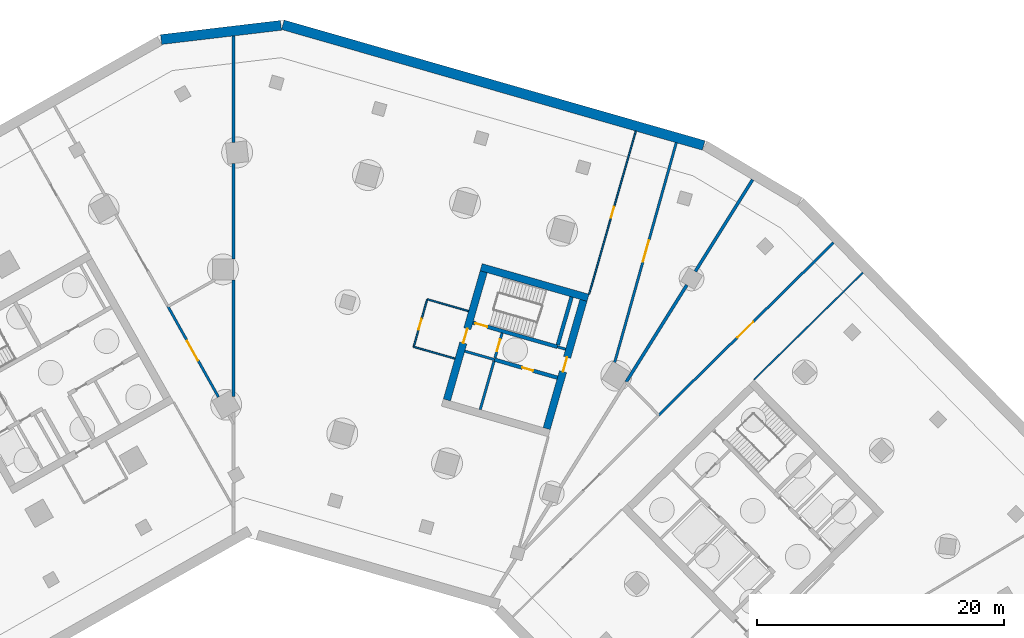
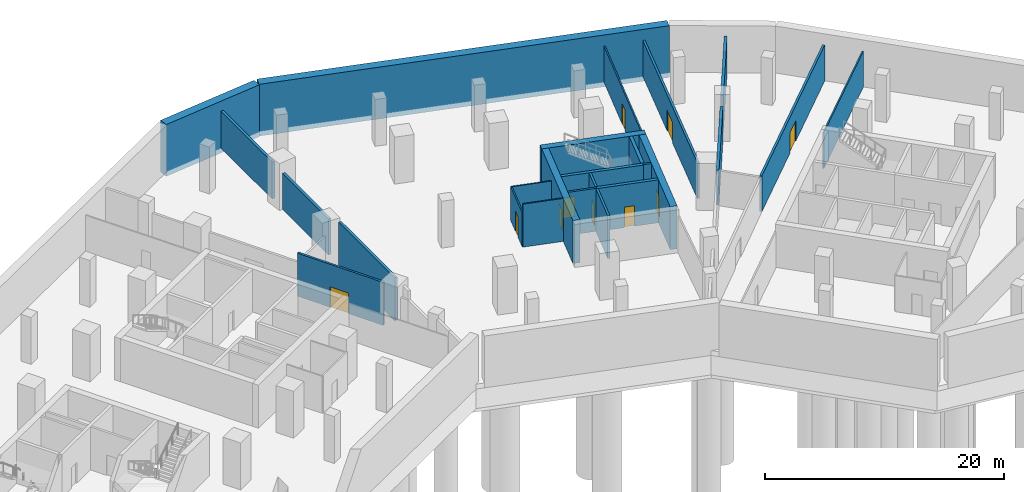
# One storey, part 7 of 11: 25 walls, 10 doors, 10 openings.
"""IFC4 building model written with IfcOpenShell, lengths in metres."""

from ifc_helpers import new_model, si_unit, direction, frame, frame_2d, origin, place, context, subcontext, project, spatial, rectangle, extrude, material, layer, layer_set, type_object, element, fill, save


model = new_model("IFC4")

# Units and contexts
model_context = context("Model", 3, precision=1e-05, world=origin(), true_north=direction((0.0, 1.0)))
body_context = subcontext(model_context, "Body", "Model", "MODEL_VIEW")
ifc_project = project(units=[si_unit("LENGTHUNIT", "METRE"), si_unit("AREAUNIT", "SQUARE_METRE"), si_unit("VOLUMEUNIT", "CUBIC_METRE"), si_unit("PLANEANGLEUNIT", "RADIAN"), si_unit("MASSUNIT", "GRAM", prefix="KILO")], contexts=[model_context])

# Site, building, storey
site_placement = place(None, origin())
site = spatial("IfcSite", under=ifc_project, at=site_placement, CompositionType="ELEMENT")
building_placement = place(site_placement, origin())
building = spatial("IfcBuilding", under=site, at=building_placement, Name="Binnacle Exchange Tower", CompositionType="ELEMENT")
storey_placement = place(building_placement, frame((0.0, 0.0, -9.60009765625)))
storey = spatial("IfcBuildingStorey", under=building, at=storey_placement, Name="B2", CompositionType="ELEMENT", Elevation=-9.60009765625)

# Walls
ifc_material_1 = material(Name="Concrete C40/50", Category="concrete")
ifc_layer_1 = layer(ifc_material_1, 0.800048828125)
ifc_layer_set_1 = layer_set([ifc_layer_1], Name="Basement retaining wall 800 Concrete C40/50")
wall_type_1 = type_object("IfcWallType", Name="Basement retaining wall 800 Concrete C40/50", PredefinedType="SOLIDWALL", material=ifc_layer_set_1)
wall_1_placement = place(storey_placement, frame((38.06201171875, 70.032470703125, -0.5), z_axis=(0.0, 0.0, 1.0), x_axis=(-0.961260654426, 0.275640987977, 0.0)))
element("IfcWall", 1, at=wall_1_placement, inside=storey, type_object=wall_type_1, Name="S:RW:B2:02", PredefinedType="SOLIDWALL", context=body_context, shape_type="SweptSolid", body=[
    extrude(rectangle(XDim=35.43505859375, YDim=0.800048828125, at=frame_2d((17.717529296875, 0.0))), origin(), (0.0, 0.0, 1.0), 5.300048828125),
])
wall_2_placement = place(storey_placement, frame((3.848388671875, 79.752685546875, -0.5), z_axis=(0.0, 0.0, 1.0), x_axis=(-0.993067076287, -0.117549062072, 0.0)))
element("IfcWall", 2, at=wall_2_placement, inside=storey, type_object=wall_type_1, Name="S:RW:B2:03", PredefinedType="SOLIDWALL", context=body_context, shape_type="SweptSolid", body=[
    extrude(rectangle(XDim=9.765625, YDim=0.800048828125, at=frame_2d((4.8828125, 0.0))), origin(), (0.0, 0.0, 1.0), 5.300048828125),
])

# Wall, opening, door
ifc_material_2 = material(Name="Concrete C70/85", Category="concrete")
ifc_layer_2 = layer(ifc_material_2, 0.300048828125)
ifc_layer_set_2 = layer_set([ifc_layer_2], Name="Core wall - front 300")
wall_type_2 = type_object("IfcWallType", Name="Core wall - front 300", PredefinedType="SOLIDWALL", material=ifc_layer_set_2)
wall_3_placement = place(storey_placement, frame((21.130859375, 52.6923828125, 0.0), z_axis=(0.0, 0.0, 1.0), x_axis=(0.961271492568, -0.275603188616, 0.0)))
wall_3 = element("IfcWall", 3, at=wall_3_placement, inside=storey, type_object=wall_type_2, Name="Core wall CRWD3", PredefinedType="SOLIDWALL", context=body_context, shape_type="SweptSolid", body=[
    extrude(rectangle(XDim=5.300048828125, YDim=0.300048828125, at=frame_2d((2.64990234375, 0.0))), origin(), (0.0, 0.0, 1.0), 4.400146484375),
])
opening_1_placement = place(wall_3_placement, frame((2.35009765625, 0.0, 0.0)))
opening_1 = element("IfcOpeningElement", 4, at=opening_1_placement, cuts=wall_3, Name="Opening DD10", PredefinedType="OPENING", context=body_context, shape_type="SweptSolid", body=[
    extrude(rectangle(XDim=0.89990234375, YDim=2.10009765625, at=frame_2d((0.449951171875, 1.050048828125))), frame((0.0, 0.159912109375, 0.0), z_axis=(0.0, -1.0, 0.0), x_axis=(1.0, 0.0, 0.0)), (0.0, 0.0, 1.0), 0.320068359375),
])
ifc_material_3 = material(Name="Steel door leaf", Category="steel")
door_type_1 = type_object("IfcDoorType", Name="Fire door 900", OperationType="NOTDEFINED", PredefinedType="DOOR", material=ifc_material_3)
door_1_placement = place(opening_1_placement, frame((0.89990234375, 0.0, 0.0), z_axis=(0.0, 0.0, 1.0), x_axis=(-1.0, 0.0, 0.0)))
door_1 = element("IfcDoor", 5, at=door_1_placement, inside=storey, type_object=door_type_1, Name="Core room door PANTRY", OperationType="SINGLE_SWING_LEFT", OverallHeight=2.10009765625, OverallWidth=0.89990234375, PredefinedType="DOOR", context=body_context, shape_type="SweptSolid", body=[
    extrude(rectangle(XDim=0.89990234375, YDim=2.10009765625, at=frame_2d((0.449951171875, 1.050048828125))), frame((0.0, 0.02490234375, 0.0), z_axis=(0.0, -1.0, 0.0), x_axis=(1.0, 0.0, 0.0)), (0.0, 0.0, 1.0), 0.050048828125),
])
fill(opening_1, door_1)

# Wall
ifc_layer_3 = layer(ifc_material_2, 0.60009765625)
ifc_layer_set_3 = layer_set([ifc_layer_3], Name="Core wall - outer 600")
wall_type_3 = type_object("IfcWallType", Name="Core wall - outer 600", PredefinedType="SOLIDWALL", material=ifc_layer_set_3)
wall_4_placement = place(storey_placement, frame((20.052734375, 60.1796875, 0.0), z_axis=(0.0, 0.0, 1.0), x_axis=(0.96126248289, -0.275634611374, 0.0)))
element("IfcWall", 6, at=wall_4_placement, inside=storey, type_object=wall_type_3, Name="Core wall CRWD6", PredefinedType="SOLIDWALL", context=body_context, shape_type="SweptSolid", body=[
    extrude(rectangle(XDim=9.0, YDim=0.60009765625, at=frame_2d((4.5, 0.0))), origin(), (0.0, 0.0, 1.0), 4.400146484375),
])

# Wall, opening, door
wall_5_placement = place(storey_placement, frame((17.28173828125, 49.427001953125, 0.0), z_axis=(0.0, 0.0, 1.0), x_axis=(0.275631631629, 0.961263337304, 0.0)))
wall_5 = element("IfcWall", 7, at=wall_5_placement, inside=storey, type_object=wall_type_3, Name="Core wall CRWD7", PredefinedType="SOLIDWALL", context=body_context, shape_type="SweptSolid", body=[
    extrude(rectangle(XDim=10.800048828125, YDim=0.60009765625, at=frame_2d((5.39990234375, 0.0))), origin(), (0.0, 0.0, 1.0), 4.400146484375),
])
opening_2_placement = place(wall_5_placement, frame((4.800048828125, 0.0, 0.0)))
opening_2 = element("IfcOpeningElement", 8, at=opening_2_placement, cuts=wall_5, Name="Opening DD5", PredefinedType="OPENING", context=body_context, shape_type="SweptSolid", body=[
    extrude(rectangle(XDim=1.199951171875, YDim=2.10009765625, at=frame_2d((0.60009765625, 1.050048828125))), frame((0.0, 0.31005859375, 0.0), z_axis=(0.0, -1.0, 0.0), x_axis=(1.0, 0.0, 0.0)), (0.0, 0.0, 1.0), 0.6201171875),
])
door_type_2 = type_object("IfcDoorType", Name="Fire door 1200", OperationType="NOTDEFINED", PredefinedType="DOOR", material=ifc_material_3)
door_2_placement = place(opening_2_placement, origin())
door_2 = element("IfcDoor", 9, at=door_2_placement, inside=storey, type_object=door_type_2, Name="Vestibule exit door VEST-W", OperationType="SINGLE_SWING_RIGHT", OverallHeight=2.10009765625, OverallWidth=1.199951171875, PredefinedType="DOOR", context=body_context, shape_type="SweptSolid", body=[
    extrude(rectangle(XDim=1.199951171875, YDim=2.10009765625, at=frame_2d((0.60009765625, 1.050048828125))), frame((0.0, 0.02490234375, 0.0), z_axis=(0.0, -1.0, 0.0), x_axis=(1.0, 0.0, 0.0)), (0.0, 0.0, 1.0), 0.050048828125),
])
fill(opening_2, door_2)

wall_6_placement = place(storey_placement, frame((25.356201171875, 47.111572265625, 0.0), z_axis=(0.0, 0.0, 1.0), x_axis=(0.275631631629, 0.961263337304, 0.0)))
wall_6 = element("IfcWall", 10, at=wall_6_placement, inside=storey, type_object=wall_type_3, Name="Core wall CRWD12", PredefinedType="SOLIDWALL", context=body_context, shape_type="SweptSolid", body=[
    extrude(rectangle(XDim=10.800048828125, YDim=0.60009765625, at=frame_2d((5.39990234375, 0.0))), origin(), (0.0, 0.0, 1.0), 4.400146484375),
])
opening_3_placement = place(wall_6_placement, frame((4.800048828125, 0.0, 0.0)))
opening_3 = element("IfcOpeningElement", 11, at=opening_3_placement, cuts=wall_6, Name="Opening DD6", PredefinedType="OPENING", context=body_context, shape_type="SweptSolid", body=[
    extrude(rectangle(XDim=1.199951171875, YDim=2.10009765625, at=frame_2d((0.60009765625, 1.050048828125))), frame((0.0, 0.31005859375, 0.0), z_axis=(0.0, -1.0, 0.0), x_axis=(1.0, 0.0, 0.0)), (0.0, 0.0, 1.0), 0.6201171875),
])
door_3_placement = place(opening_3_placement, frame((1.199951171875, 0.0, 0.0), z_axis=(0.0, 0.0, 1.0), x_axis=(-1.0, 0.0, 0.0)))
door_3 = element("IfcDoor", 12, at=door_3_placement, inside=storey, type_object=door_type_2, Name="Core passage exit door", OperationType="SINGLE_SWING_LEFT", OverallHeight=2.10009765625, OverallWidth=1.199951171875, PredefinedType="DOOR", context=body_context, shape_type="SweptSolid", body=[
    extrude(rectangle(XDim=1.199951171875, YDim=2.10009765625, at=frame_2d((0.60009765625, 1.050048828125))), frame((0.0, 0.02490234375, 0.0), z_axis=(0.0, -1.0, 0.0), x_axis=(1.0, 0.0, 0.0)), (0.0, 0.0, 1.0), 0.050048828125),
])
fill(opening_3, door_3)

ifc_layer_4 = layer(ifc_material_2, 0.300048828125)
ifc_layer_set_4 = layer_set([ifc_layer_4], Name="Core wall - stair 300")
wall_type_4 = type_object("IfcWallType", Name="Core wall - stair 300", PredefinedType="SOLIDWALL", material=ifc_layer_set_4)
wall_7_placement = place(storey_placement, frame((19.38916015625, 55.688720703125, 0.0), z_axis=(0.0, 0.0, 1.0), x_axis=(0.961261397636, -0.275638396117, 0.0)))
wall_7 = element("IfcWall", 13, at=wall_7_placement, inside=storey, type_object=wall_type_4, Name="Core wall CRWD4", PredefinedType="SOLIDWALL", context=body_context, shape_type="SweptSolid", body=[
    extrude(rectangle(XDim=7.10009765625, YDim=0.300048828125, at=frame_2d((3.550048828125, 0.0))), origin(), (0.0, 0.0, 1.0), 4.400146484375),
])
opening_4_placement = place(wall_7_placement, frame((0.199951171875, 0.0, 0.0)))
opening_4 = element("IfcOpeningElement", 14, at=opening_4_placement, cuts=wall_7, Name="Opening DD1", PredefinedType="OPENING", context=body_context, shape_type="SweptSolid", body=[
    extrude(rectangle(XDim=1.0, YDim=2.10009765625, at=frame_2d((0.5, 1.050048828125))), frame((0.0, 0.159912109375, 0.0), z_axis=(0.0, -1.0, 0.0), x_axis=(1.0, 0.0, 0.0)), (0.0, 0.0, 1.0), 0.320068359375),
])
door_type_3 = type_object("IfcDoorType", Name="Fire door 1000", OperationType="NOTDEFINED", PredefinedType="DOOR", material=ifc_material_3)
door_4_placement = place(opening_4_placement, origin())
door_4 = element("IfcDoor", 15, at=door_4_placement, inside=storey, type_object=door_type_3, Name="Stair door ST-D1", OperationType="SINGLE_SWING_LEFT", OverallHeight=2.10009765625, OverallWidth=1.0, PredefinedType="DOOR", context=body_context, shape_type="SweptSolid", body=[
    extrude(rectangle(XDim=1.0, YDim=2.10009765625, at=frame_2d((0.5, 1.050048828125))), frame((0.0, 0.02490234375, 0.0), z_axis=(0.0, -1.0, 0.0), x_axis=(1.0, 0.0, 0.0)), (0.0, 0.0, 1.0), 0.050048828125),
])
fill(opening_4, door_4)

# Wall
wall_8_placement = place(storey_placement, frame((26.255615234375, 53.875732421875, 0.0), z_axis=(0.0, 0.0, 1.0), x_axis=(0.275612739511, 0.961268754209, 0.0)))
element("IfcWall", 16, at=wall_8_placement, inside=storey, type_object=wall_type_4, Name="Core wall CRWD11", PredefinedType="SOLIDWALL", context=body_context, shape_type="SweptSolid", body=[
    extrude(rectangle(XDim=4.0498046875, YDim=0.300048828125, at=frame_2d((2.02490234375, 0.0))), origin(), (0.0, 0.0, 1.0), 4.400146484375),
])

# Wall, opening, door
ifc_material_4 = material(Name="Masonry block wall", Category="masonry")
ifc_layer_5 = layer(ifc_material_4, 0.199951171875)
ifc_layer_set_5 = layer_set([ifc_layer_5], Name="Fire wall - block 200")
wall_type_5 = type_object("IfcWallType", Name="Fire wall - block 200", PredefinedType="PARTITIONING", material=ifc_layer_set_5)
wall_9_placement = place(storey_placement, frame((-5.301025390625, 57.0009765625, 0.0), z_axis=(0.0, 0.0, 1.0), x_axis=(0.487215056149, -0.873282021492, 0.0)))
wall_9 = element("IfcWall", 17, at=wall_9_placement, inside=storey, type_object=wall_type_5, Name="Partition W23", PredefinedType="PARTITIONING", context=body_context, shape_type="SweptSolid", body=[
    extrude(rectangle(XDim=8.394775390625, YDim=0.199951171875, at=frame_2d((4.197265625, 0.0))), origin(), (0.0, 0.0, 1.0), 4.400146484375),
])
opening_5_placement = place(wall_9_placement, frame((3.199951171875, 0.0, 0.0)))
opening_5 = element("IfcOpeningElement", 18, at=opening_5_placement, cuts=wall_9, Name="Opening DB2-08", PredefinedType="OPENING", context=body_context, shape_type="SweptSolid", body=[
    extrude(rectangle(XDim=1.800048828125, YDim=2.10009765625, at=frame_2d((0.89990234375, 1.050048828125))), frame((0.0, 0.10986328125, 0.0), z_axis=(0.0, -1.0, 0.0), x_axis=(1.0, 0.0, 0.0)), (0.0, 0.0, 1.0), 0.219970703125),
])
door_type_4 = type_object("IfcDoorType", Name="Fire door 1800", OperationType="NOTDEFINED", PredefinedType="DOOR", material=ifc_material_3)
door_5_placement = place(opening_5_placement, origin())
door_5 = element("IfcDoor", 19, at=door_5_placement, inside=storey, type_object=door_type_4, Name="Door DB2-08", OperationType="DOUBLE_DOOR_SINGLE_SWING", OverallHeight=2.10009765625, OverallWidth=1.800048828125, PredefinedType="DOOR", context=body_context, shape_type="SweptSolid", body=[
    extrude(rectangle(XDim=1.800048828125, YDim=2.10009765625, at=frame_2d((0.89990234375, 1.050048828125))), frame((0.0, 0.02490234375, 0.0), z_axis=(0.0, -1.0, 0.0), x_axis=(1.0, 0.0, 0.0)), (0.0, 0.0, 1.0), 0.050048828125),
])
fill(opening_5, door_5)

wall_10_placement = place(storey_placement, frame((30.862060546875, 52.468017578125, 0.0), z_axis=(0.0, 0.0, 1.0), x_axis=(0.269850069582, 0.962902352238, 0.0)))
wall_10 = element("IfcWall", 20, at=wall_10_placement, inside=storey, type_object=wall_type_5, Name="Partition W43", PredefinedType="PARTITIONING", context=body_context, shape_type="SweptSolid", body=[
    extrude(rectangle(XDim=18.468994140625, YDim=0.199951171875, at=frame_2d((9.234375, 0.0))), origin(), (0.0, 0.0, 1.0), 3.68017578125),
])
opening_6_placement = place(wall_10_placement, frame((8.449951171875, 0.0, 0.0)))
opening_6 = element("IfcOpeningElement", 21, at=opening_6_placement, cuts=wall_10, Name="Opening DB2-11", PredefinedType="OPENING", context=body_context, shape_type="SweptSolid", body=[
    extrude(rectangle(XDim=1.800048828125, YDim=2.10009765625, at=frame_2d((0.89990234375, 1.050048828125))), frame((0.0, 0.10986328125, 0.0), z_axis=(0.0, -1.0, 0.0), x_axis=(1.0, 0.0, 0.0)), (0.0, 0.0, 1.0), 0.219970703125),
])
door_6_placement = place(opening_6_placement, frame((1.800048828125, 0.0, 0.0), z_axis=(0.0, 0.0, 1.0), x_axis=(-1.0, 0.0, 0.0)))
door_6 = element("IfcDoor", 22, at=door_6_placement, inside=storey, type_object=door_type_4, Name="Door DB2-11", OperationType="DOUBLE_DOOR_SINGLE_SWING", OverallHeight=2.10009765625, OverallWidth=1.800048828125, PredefinedType="DOOR", context=body_context, shape_type="SweptSolid", body=[
    extrude(rectangle(XDim=1.800048828125, YDim=2.10009765625, at=frame_2d((0.89990234375, 1.050048828125))), frame((0.0, 0.02490234375, 0.0), z_axis=(0.0, -1.0, 0.0), x_axis=(1.0, 0.0, 0.0)), (0.0, 0.0, 1.0), 0.050048828125),
])
fill(opening_6, door_6)

wall_11_placement = place(storey_placement, frame((34.424072265625, 48.2080078125, 0.0), z_axis=(0.0, 0.0, 1.0), x_axis=(0.711998848244, 0.702180632102, 0.0)))
wall_11 = element("IfcWall", 23, at=wall_11_placement, inside=storey, type_object=wall_type_5, Name="Partition W47", PredefinedType="PARTITIONING", context=body_context, shape_type="SweptSolid", body=[
    extrude(rectangle(XDim=19.867919921875, YDim=0.199951171875, at=frame_2d((9.93408203125, 0.0))), origin(), (0.0, 0.0, 1.0), 3.672119140625),
])
opening_7_placement = place(wall_11_placement, frame((8.949951171875, 0.0, 0.0)))
opening_7 = element("IfcOpeningElement", 24, at=opening_7_placement, cuts=wall_11, Name="Opening DB2-14", PredefinedType="OPENING", context=body_context, shape_type="SweptSolid", body=[
    extrude(rectangle(XDim=1.800048828125, YDim=2.10009765625, at=frame_2d((0.89990234375, 1.050048828125))), frame((0.0, 0.10986328125, 0.0), z_axis=(0.0, -1.0, 0.0), x_axis=(1.0, 0.0, 0.0)), (0.0, 0.0, 1.0), 0.219970703125),
])
door_7_placement = place(opening_7_placement, origin())
door_7 = element("IfcDoor", 25, at=door_7_placement, inside=storey, type_object=door_type_4, Name="Door DB2-14", OperationType="DOUBLE_DOOR_SINGLE_SWING", OverallHeight=2.10009765625, OverallWidth=1.800048828125, PredefinedType="DOOR", context=body_context, shape_type="SweptSolid", body=[
    extrude(rectangle(XDim=1.800048828125, YDim=2.10009765625, at=frame_2d((0.89990234375, 1.050048828125))), frame((0.0, 0.02490234375, 0.0), z_axis=(0.0, -1.0, 0.0), x_axis=(1.0, 0.0, 0.0)), (0.0, 0.0, 1.0), 0.050048828125),
])
fill(opening_7, door_7)

# Walls
ifc_material_5 = material(Name="Concrete fire wall C30/37", Category="concrete")
ifc_layer_6 = layer(ifc_material_5, 0.25)
ifc_layer_set_6 = layer_set([ifc_layer_6], Name="Fire wall - compartment 250")
wall_type_6 = type_object("IfcWallType", Name="Fire wall - compartment 250", PredefinedType="PARTITIONING", material=ifc_layer_set_6)
wall_12_placement = place(storey_placement, frame((0.0, 49.72607421875, 0.0), z_axis=(0.0, 0.0, 1.0), x_axis=(0.0, 1.0, 0.0)))
element("IfcWall", 26, at=wall_12_placement, inside=storey, type_object=wall_type_6, Name="Fire Wall W30", PredefinedType="PARTITIONING", context=body_context, shape_type="SweptSolid", body=[
    extrude(rectangle(XDim=9.423828125, YDim=0.25, at=frame_2d((4.7119140625, 0.0))), origin(), (0.0, 0.0, 1.0), 4.400146484375),
])
wall_13_placement = place(storey_placement, frame((0.0, 60.85009765625, 0.0), z_axis=(0.0, 0.0, 1.0), x_axis=(0.0, 1.0, 0.0)))
element("IfcWall", 27, at=wall_13_placement, inside=storey, type_object=wall_type_6, Name="Fire Wall W31", PredefinedType="PARTITIONING", context=body_context, shape_type="SweptSolid", body=[
    extrude(rectangle(XDim=7.722900390625, YDim=0.25, at=frame_2d((3.861328125, 0.0))), origin(), (0.0, 0.0, 1.0), 3.68017578125),
])
wall_14_placement = place(storey_placement, frame((0.0, 70.284912109375, 0.0), z_axis=(0.0, 0.0, 1.0), x_axis=(0.0, 1.0, 0.0)))
element("IfcWall", 28, at=wall_14_placement, inside=storey, type_object=wall_type_6, Name="Fire Wall W32", PredefinedType="PARTITIONING", context=body_context, shape_type="SweptSolid", body=[
    extrude(rectangle(XDim=8.609130859375, YDim=0.25, at=frame_2d((4.3046875, 0.0))), origin(), (0.0, 0.0, 1.0), 3.780029296875),
])
wall_15_placement = place(storey_placement, frame((31.794921875, 50.883056640625, 0.0), z_axis=(0.0, 0.0, 1.0), x_axis=(0.529939676421, 0.848035340864, 0.0)))
element("IfcWall", 29, at=wall_15_placement, inside=storey, type_object=wall_type_6, Name="Fire Wall W45", PredefinedType="PARTITIONING", context=body_context, shape_type="SweptSolid", body=[
    extrude(rectangle(XDim=9.257568359375, YDim=0.25, at=frame_2d((4.62890625, 0.0))), origin(), (0.0, 0.0, 1.0), 3.572021484375),
])
wall_16_placement = place(storey_placement, frame((37.389892578125, 59.8369140625, 0.0), z_axis=(0.0, 0.0, 1.0), x_axis=(0.529946283542, 0.84803121202, 0.0)))
element("IfcWall", 30, at=wall_16_placement, inside=storey, type_object=wall_type_6, Name="Fire Wall W50", PredefinedType="PARTITIONING", context=body_context, shape_type="SweptSolid", body=[
    extrude(rectangle(XDim=8.752197265625, YDim=0.25, at=frame_2d((4.3759765625, 0.0))), origin(), (0.0, 0.0, 1.0), 3.780029296875),
])

# Wall, opening, door
ifc_layer_7 = layer(ifc_material_4, 0.199951171875)
ifc_layer_set_7 = layer_set([ifc_layer_7], Name="Fire wall - vestibule 200")
wall_type_7 = type_object("IfcWallType", Name="Fire wall - vestibule 200", PredefinedType="PARTITIONING", material=ifc_layer_set_7)
wall_17_placement = place(storey_placement, frame((21.172119140625, 52.836669921875, 0.0), z_axis=(0.0, 0.0, 1.0), x_axis=(0.275657676022, 0.961255868981, 0.0)))
wall_17 = element("IfcWall", 31, at=wall_17_placement, inside=storey, type_object=wall_type_7, Name="Core wall CRWD9", PredefinedType="PARTITIONING", context=body_context, shape_type="SweptSolid", body=[
    extrude(rectangle(XDim=2.099853515625, YDim=0.199951171875, at=frame_2d((1.0498046875, 0.0))), origin(), (0.0, 0.0, 1.0), 4.400146484375),
])
opening_8_placement = place(wall_17_placement, frame((0.550048828125, 0.0, 0.0)))
opening_8 = element("IfcOpeningElement", 32, at=opening_8_placement, cuts=wall_17, Name="Opening DD3", PredefinedType="OPENING", context=body_context, shape_type="SweptSolid", body=[
    extrude(rectangle(XDim=1.0, YDim=2.10009765625, at=frame_2d((0.5, 1.050048828125))), frame((0.0, 0.10986328125, 0.0), z_axis=(0.0, -1.0, 0.0), x_axis=(1.0, 0.0, 0.0)), (0.0, 0.0, 1.0), 0.219970703125),
])
door_8_placement = place(opening_8_placement, origin())
door_8 = element("IfcDoor", 33, at=door_8_placement, inside=storey, type_object=door_type_3, Name="Vestibule door VEST-W", OperationType="SINGLE_SWING_RIGHT", OverallHeight=2.10009765625, OverallWidth=1.0, PredefinedType="DOOR", context=body_context, shape_type="SweptSolid", body=[
    extrude(rectangle(XDim=1.0, YDim=2.10009765625, at=frame_2d((0.5, 1.050048828125))), frame((0.0, 0.02490234375, 0.0), z_axis=(0.0, -1.0, 0.0), x_axis=(1.0, 0.0, 0.0)), (0.0, 0.0, 1.0), 0.050048828125),
])
fill(opening_8, door_8)

ifc_material_6 = material(Name="Gypsum partition")
ifc_layer_8 = layer(ifc_material_6, 0.125)
ifc_layer_set_8 = layer_set([ifc_layer_8], Name="Partition 125")
wall_type_8 = type_object("IfcWallType", Name="Partition 125", PredefinedType="PARTITIONING", material=ifc_layer_set_8)
wall_18_placement = place(storey_placement, frame((14.589111328125, 53.736083984375, 0.0), z_axis=(0.0, 0.0, 1.0), x_axis=(0.275470792429, 0.961309441605, 0.0)))
wall_18 = element("IfcWall", 34, at=wall_18_placement, inside=storey, type_object=wall_type_8, Name="Partition W33", PredefinedType="PARTITIONING", context=body_context, shape_type="SweptSolid", body=[
    extrude(rectangle(XDim=3.999755859375, YDim=0.125, at=frame_2d((2.0, 0.0))), origin(), (0.0, 0.0, 1.0), 3.462158203125),
])
opening_9_placement = place(wall_18_placement, frame((1.449951171875, 0.0, 0.0)))
opening_9 = element("IfcOpeningElement", 35, at=opening_9_placement, cuts=wall_18, Name="Opening DB2-09", PredefinedType="OPENING", context=body_context, shape_type="SweptSolid", body=[
    extrude(rectangle(XDim=0.89990234375, YDim=2.10009765625, at=frame_2d((0.449951171875, 1.050048828125))), frame((0.0, 0.072509765625, 0.0), z_axis=(0.0, -1.0, 0.0), x_axis=(1.0, 0.0, 0.0)), (0.0, 0.0, 1.0), 0.14501953125),
])
ifc_material_7 = material(Name="Timber door leaf", Category="wood")
door_type_5 = type_object("IfcDoorType", Name="Door 900", OperationType="NOTDEFINED", PredefinedType="DOOR", material=ifc_material_7)
door_9_placement = place(opening_9_placement, frame((0.89990234375, 0.0, 0.0), z_axis=(0.0, 0.0, 1.0), x_axis=(-1.0, 0.0, 0.0)))
door_9 = element("IfcDoor", 36, at=door_9_placement, inside=storey, type_object=door_type_5, Name="Door DB2-09", OperationType="SINGLE_SWING_RIGHT", OverallHeight=2.10009765625, OverallWidth=0.89990234375, PredefinedType="DOOR", context=body_context, shape_type="SweptSolid", body=[
    extrude(rectangle(XDim=0.89990234375, YDim=2.10009765625, at=frame_2d((0.449951171875, 1.050048828125))), frame((0.0, 0.02490234375, 0.0), z_axis=(0.0, -1.0, 0.0), x_axis=(1.0, 0.0, 0.0)), (0.0, 0.0, 1.0), 0.050048828125),
])
fill(opening_9, door_9)

# Walls
wall_19_placement = place(storey_placement, frame((14.589111328125, 53.736083984375, 0.0), z_axis=(0.0, 0.0, 1.0), x_axis=(0.961258417425, -0.275648789095, 0.0)))
element("IfcWall", 37, at=wall_19_placement, inside=storey, type_object=wall_type_8, Name="Partition W34", PredefinedType="PARTITIONING", context=body_context, shape_type="SweptSolid", body=[
    extrude(rectangle(XDim=3.4755859375, YDim=0.125, at=frame_2d((1.73779296875, 0.0))), origin(), (0.0, 0.0, 1.0), 4.400146484375),
])
wall_20_placement = place(storey_placement, frame((15.69091796875, 57.5810546875, 0.0), z_axis=(0.0, 0.0, 1.0), x_axis=(0.9612850915, -0.275555752725, 0.0)))
element("IfcWall", 38, at=wall_20_placement, inside=storey, type_object=wall_type_8, Name="Partition W35", PredefinedType="PARTITIONING", context=body_context, shape_type="SweptSolid", body=[
    extrude(rectangle(XDim=3.4765625, YDim=0.125, at=frame_2d((1.73828125, 0.0))), origin(), (0.0, 0.0, 1.0), 3.462158203125),
])

# Wall, opening, door
wall_21_placement = place(storey_placement, frame((28.787109375, 57.987060546875, 0.0), z_axis=(0.0, 0.0, 1.0), x_axis=(0.27563893724, 0.961261242471, 0.0)))
wall_21 = element("IfcWall", 39, at=wall_21_placement, inside=storey, type_object=wall_type_8, Name="Partition W42", PredefinedType="PARTITIONING", context=body_context, shape_type="SweptSolid", body=[
    extrude(rectangle(XDim=13.73486328125, YDim=0.125, at=frame_2d((6.867431640625, 0.0))), origin(), (0.0, 0.0, 1.0), 3.68017578125),
])
opening_10_placement = place(wall_21_placement, frame((6.449951171875, 0.0, 0.0)))
opening_10 = element("IfcOpeningElement", 40, at=opening_10_placement, cuts=wall_21, Name="Opening DB2-10", PredefinedType="OPENING", context=body_context, shape_type="SweptSolid", body=[
    extrude(rectangle(XDim=0.89990234375, YDim=2.10009765625, at=frame_2d((0.449951171875, 1.050048828125))), frame((0.0, 0.072509765625, 0.0), z_axis=(0.0, -1.0, 0.0), x_axis=(1.0, 0.0, 0.0)), (0.0, 0.0, 1.0), 0.14501953125),
])
door_10_placement = place(opening_10_placement, frame((0.89990234375, 0.0, 0.0), z_axis=(0.0, 0.0, 1.0), x_axis=(-1.0, 0.0, 0.0)))
door_10 = element("IfcDoor", 41, at=door_10_placement, inside=storey, type_object=door_type_5, Name="Door DB2-10", OperationType="SINGLE_SWING_LEFT", OverallHeight=2.10009765625, OverallWidth=0.89990234375, PredefinedType="DOOR", context=body_context, shape_type="SweptSolid", body=[
    extrude(rectangle(XDim=0.89990234375, YDim=2.10009765625, at=frame_2d((0.449951171875, 1.050048828125))), frame((0.0, 0.02490234375, 0.0), z_axis=(0.0, -1.0, 0.0), x_axis=(1.0, 0.0, 0.0)), (0.0, 0.0, 1.0), 0.050048828125),
])
fill(opening_10, door_10)

# Walls
wall_22_placement = place(storey_placement, frame((42.1298828125, 51.06591796875, 0.0), z_axis=(0.0, 0.0, 1.0), x_axis=(0.713258003964, 0.700901576387, 0.0)))
element("IfcWall", 42, at=wall_22_placement, inside=storey, type_object=wall_type_8, Name="Partition W53", PredefinedType="PARTITIONING", context=body_context, shape_type="SweptSolid", body=[
    extrude(rectangle(XDim=12.36865234375, YDim=0.125, at=frame_2d((6.184326171875, 0.0))), origin(), (0.0, 0.0, 1.0), 3.672119140625),
])
ifc_layer_9 = layer(ifc_material_4, 0.199951171875)
ifc_layer_set_9 = layer_set([ifc_layer_9], Name="Riser wall 200")
wall_type_9 = type_object("IfcWallType", Name="Riser wall 200", PredefinedType="SOLIDWALL", material=ifc_layer_set_9)
wall_23_placement = place(storey_placement, frame((18.727783203125, 53.381591796875, 0.0), z_axis=(0.0, 0.0, 1.0), x_axis=(0.961247070632, -0.275688355216, 0.0)))
element("IfcWall", 43, at=wall_23_placement, inside=storey, type_object=wall_type_9, Name="Core wall CRWD2", PredefinedType="SOLIDWALL", context=body_context, shape_type="SweptSolid", body=[
    extrude(rectangle(XDim=2.5, YDim=0.199951171875, at=frame_2d((1.25, 0.0))), origin(), (0.0, 0.0, 1.0), 4.400146484375),
])
wall_24_placement = place(storey_placement, frame((26.214111328125, 53.731689453125, 0.0), z_axis=(0.0, 0.0, 1.0), x_axis=(0.96122076476, -0.27578005982, 0.0)))
element("IfcWall", 44, at=wall_24_placement, inside=storey, type_object=wall_type_9, Name="Core wall CRWD5", PredefinedType="SOLIDWALL", context=body_context, shape_type="SweptSolid", body=[
    extrude(rectangle(XDim=0.7001953125, YDim=0.199951171875, at=frame_2d((0.35009765625, 0.0))), origin(), (0.0, 0.0, 1.0), 4.400146484375),
])
wall_25_placement = place(storey_placement, frame((19.97314453125, 48.6552734375, 0.0), z_axis=(0.0, 0.0, 1.0), x_axis=(0.275668441653, 0.961252781674, 0.0)))
element("IfcWall", 45, at=wall_25_placement, inside=storey, type_object=wall_type_9, Name="Core wall CRWD8", PredefinedType="SOLIDWALL", context=body_context, shape_type="SweptSolid", body=[
    extrude(rectangle(XDim=4.050048828125, YDim=0.199951171875, at=frame_2d((2.02490234375, 0.0))), origin(), (0.0, 0.0, 1.0), 4.400146484375),
])

save(model, "model.ifc")
